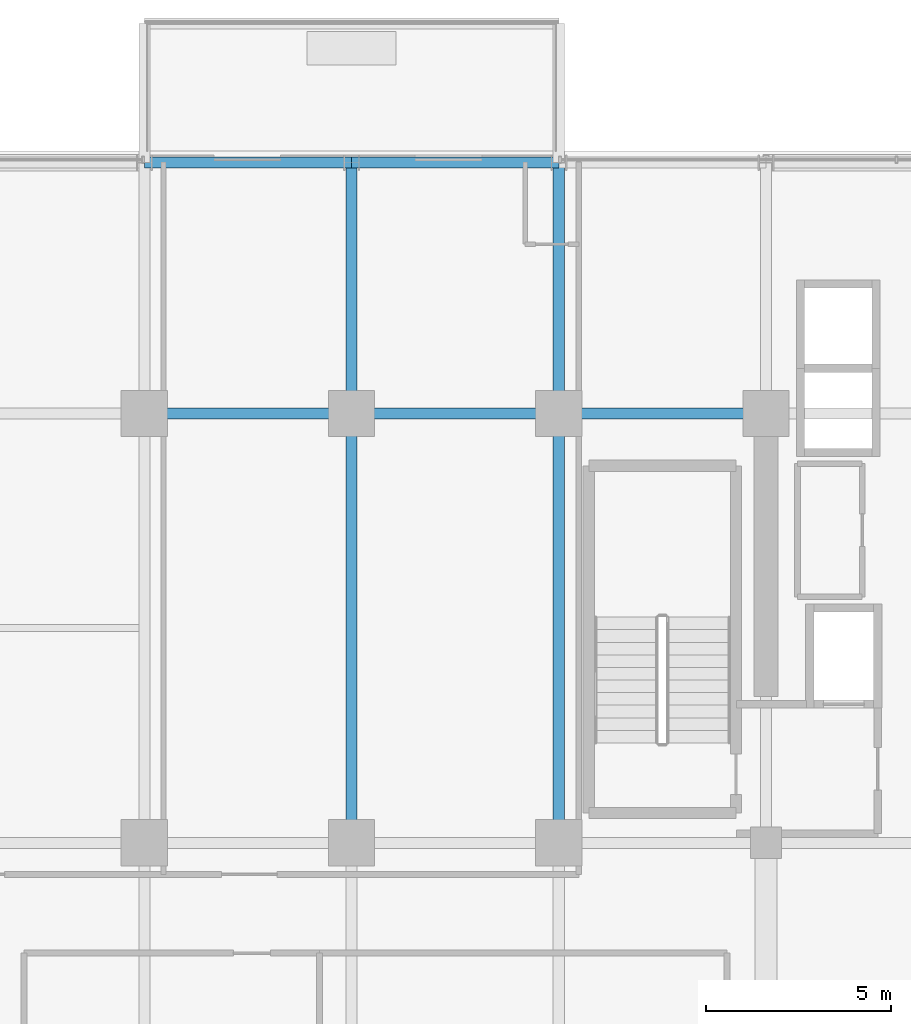
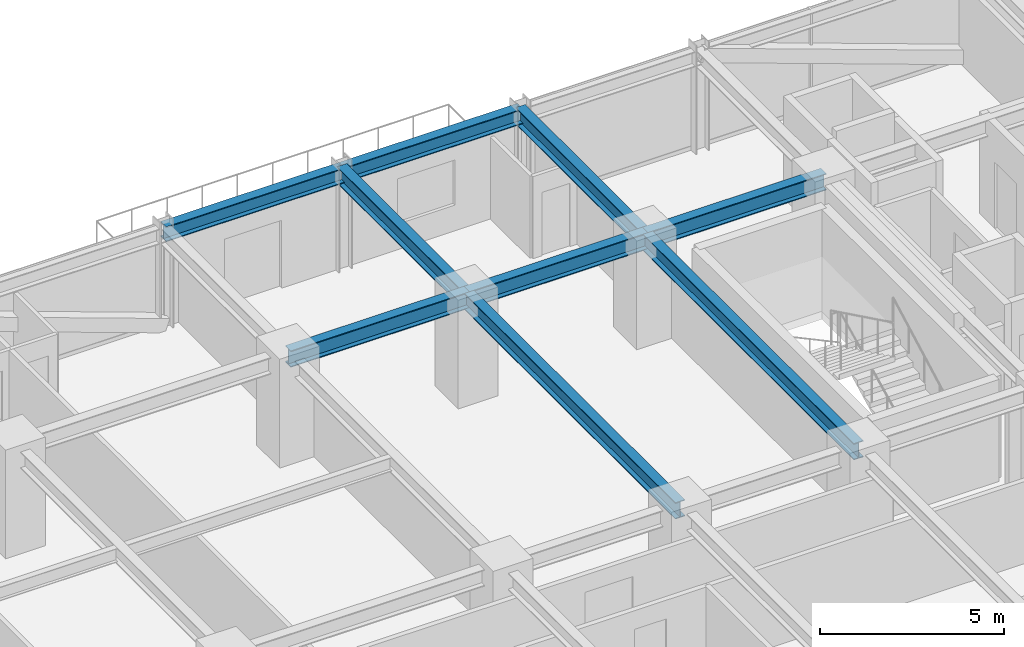
# One storey, part 20 of 41: 9 beams.
"""IFC4 building model written with IfcOpenShell, lengths in metres."""

from ifc_helpers import new_model, si_unit, direction, frame, origin, origin_2d, place, context, subcontext, project, spatial, i_section, extrude, source, transform, mapped, material, material_profile, profile_set, type_object, element, save


model = new_model("IFC4")

# Units and contexts
model_context = context("Model", 3, precision=1e-05, world=origin(), true_north=direction((0.0, 1.0)))
body_context = subcontext(model_context, "Body", "Model", "MODEL_VIEW")
ifc_project = project(units=[si_unit("LENGTHUNIT", "METRE"), si_unit("AREAUNIT", "SQUARE_METRE"), si_unit("VOLUMEUNIT", "CUBIC_METRE"), si_unit("PLANEANGLEUNIT", "RADIAN"), si_unit("MASSUNIT", "GRAM", prefix="KILO")], contexts=[model_context])

# Site, building, storey
site_placement = place(None, origin())
site = spatial("IfcSite", under=ifc_project, at=site_placement, CompositionType="ELEMENT")
building_placement = place(site_placement, origin())
building = spatial("IfcBuilding", under=site, at=building_placement, Name="Nahalor Promenade Grand Hotel", CompositionType="ELEMENT")
storey_placement = place(building_placement, frame((0.0, 0.0, 113.85009765625)))
storey = spatial("IfcBuildingStorey", under=building, at=storey_placement, Name="L28", CompositionType="ELEMENT", Elevation=113.85009765625)

# Beams
ifc_material = material(Name="Steel S355JR", Category="steel")
ifc_material_profile_1 = material_profile(ifc_material, i_section(OverallWidth=0.3, OverallDepth=0.5, WebThickness=0.0145, FlangeThickness=0.028, at=origin_2d()), Name="HEB 500")
ifc_profile_set_1 = profile_set([ifc_material_profile_1], Name="Steel S355JR")
beam_type_1 = type_object("IfcBeamType", Name="Beam-Spandrel-HEB500", PredefinedType="SPANDREL", material=ifc_profile_set_1)
shared_shape_1 = source(origin(), body_context, "Body", "SweptSolid", [
    extrude(i_section(OverallWidth=0.3, OverallDepth=0.5, WebThickness=0.0145, FlangeThickness=0.028, at=origin_2d()), origin(), (0.0, 0.0, 1.0), 5.599853515625),
])
beam_1_placement = place(storey_placement, frame((-8.39990234375, 23.780029296875, 3.1298828125), z_axis=(1.0, 0.0, 0.0), x_axis=(0.0, 1.0, 0.0)))
element("IfcBeam", 1, at=beam_1_placement, inside=storey, type_object=beam_type_1, Name="BM-L28-SP-N-1", PredefinedType="SPANDREL", context=body_context, shape_type="MappedRepresentation", body=[
    mapped(shared_shape_1, transform((0.0, 0.0, 0.0), scale=1.0)),
])
shared_shape_2 = source(origin(), body_context, "Body", "SweptSolid", [
    extrude(i_section(OverallWidth=0.3, OverallDepth=0.5, WebThickness=0.0145, FlangeThickness=0.028, at=origin_2d()), origin(), (0.0, 0.0, 1.0), 5.60009765625),
])
beam_2_placement = place(storey_placement, frame((-2.800048828125, 23.780029296875, 3.1298828125), z_axis=(1.0, 0.0, 0.0), x_axis=(0.0, 1.0, 0.0)))
element("IfcBeam", 2, at=beam_2_placement, inside=storey, type_object=beam_type_1, Name="BM-L28-SP-N-2", PredefinedType="SPANDREL", context=body_context, shape_type="MappedRepresentation", body=[
    mapped(shared_shape_2, transform((0.0, 0.0, 0.0), scale=1.0)),
])
ifc_material_profile_2 = material_profile(ifc_material, i_section(OverallWidth=0.3, OverallDepth=0.55, WebThickness=0.015, FlangeThickness=0.029, at=origin_2d()), Name="HEB 550")
ifc_profile_set_2 = profile_set([ifc_material_profile_2], Name="Steel S355JR")
beam_type_2 = type_object("IfcBeamType", Name="Beam-Girder-HEB550", PredefinedType="BEAM", material=ifc_profile_set_2)
shared_shape_3 = source(origin(), body_context, "Body", "SweptSolid", [
    extrude(i_section(OverallWidth=0.3, OverallDepth=0.55, WebThickness=0.015, FlangeThickness=0.029, at=origin_2d()), origin(), (0.0, 0.0, 1.0), 6.780029296875),
])
for number, where, z_axis, x_axis, name in (
    (3, (-2.800048828125, 17.0, 3.10498046875), (0.0, 1.0, 0.0), (-1.0, 0.0, 0.0), "BM-L28-GY-2-4"),
    (4, (2.800048828125, 17.0, 3.10498046875), (0.0, 1.0, 0.0), (-1.0, 0.0, 0.0), "BM-L28-GY-3-4"),
):
    element("IfcBeam", number, at=place(storey_placement, frame(where, z_axis=z_axis, x_axis=x_axis)), inside=storey, type_object=beam_type_2, Name=name, PredefinedType="BEAM", context=body_context, shape_type="MappedRepresentation", body=[
        mapped(shared_shape_3, transform((0.0, 0.0, 0.0), scale=1.0)),
    ])
shared_shape_4 = source(origin(), body_context, "Body", "SweptSolid", [
    extrude(i_section(OverallWidth=0.3, OverallDepth=0.55, WebThickness=0.015, FlangeThickness=0.029, at=origin_2d()), origin(), (0.0, 0.0, 1.0), 5.599853515625),
])
for number, where, z_axis, x_axis, name in (
    (5, (-8.39990234375, 17.0, 3.10498046875), (1.0, 0.0, 0.0), (0.0, 1.0, 0.0), "BM-L28-GX-3-2"),
    (6, (2.800048828125, 17.0, 3.10498046875), (1.0, 0.0, 0.0), (0.0, 1.0, 0.0), "BM-L28-GX-3-4"),
):
    element("IfcBeam", number, at=place(storey_placement, frame(where, z_axis=z_axis, x_axis=x_axis)), inside=storey, type_object=beam_type_2, Name=name, PredefinedType="BEAM", context=body_context, shape_type="MappedRepresentation", body=[
        mapped(shared_shape_4, transform((0.0, 0.0, 0.0), scale=1.0)),
    ])
shared_shape_5 = source(origin(), body_context, "Body", "SweptSolid", [
    extrude(i_section(OverallWidth=0.3, OverallDepth=0.55, WebThickness=0.015, FlangeThickness=0.029, at=origin_2d()), origin(), (0.0, 0.0, 1.0), 5.60009765625),
])
beam_3_placement = place(storey_placement, frame((-2.800048828125, 17.0, 3.10498046875), z_axis=(1.0, 0.0, 0.0), x_axis=(0.0, 1.0, 0.0)))
element("IfcBeam", 7, at=beam_3_placement, inside=storey, type_object=beam_type_2, Name="BM-L28-GX-3-3", PredefinedType="BEAM", context=body_context, shape_type="MappedRepresentation", body=[
    mapped(shared_shape_5, transform((0.0, 0.0, 0.0), scale=1.0)),
])
shared_shape_6 = source(origin(), body_context, "Body", "SweptSolid", [
    extrude(i_section(OverallWidth=0.3, OverallDepth=0.55, WebThickness=0.015, FlangeThickness=0.029, at=origin_2d()), origin(), (0.0, 0.0, 1.0), 11.60009765625),
])
for number, where, z_axis, x_axis, name in (
    (8, (-2.800048828125, 5.39990234375, 3.10498046875), (0.0, 1.0, 0.0), (-1.0, 0.0, 0.0), "BM-L28-GY-2-3"),
    (9, (2.800048828125, 5.39990234375, 3.10498046875), (0.0, 1.0, 0.0), (-1.0, 0.0, 0.0), "BM-L28-GY-3-3"),
):
    element("IfcBeam", number, at=place(storey_placement, frame(where, z_axis=z_axis, x_axis=x_axis)), inside=storey, type_object=beam_type_2, Name=name, PredefinedType="BEAM", context=body_context, shape_type="MappedRepresentation", body=[
        mapped(shared_shape_6, transform((0.0, 0.0, 0.0), scale=1.0)),
    ])

save(model, "model.ifc")
